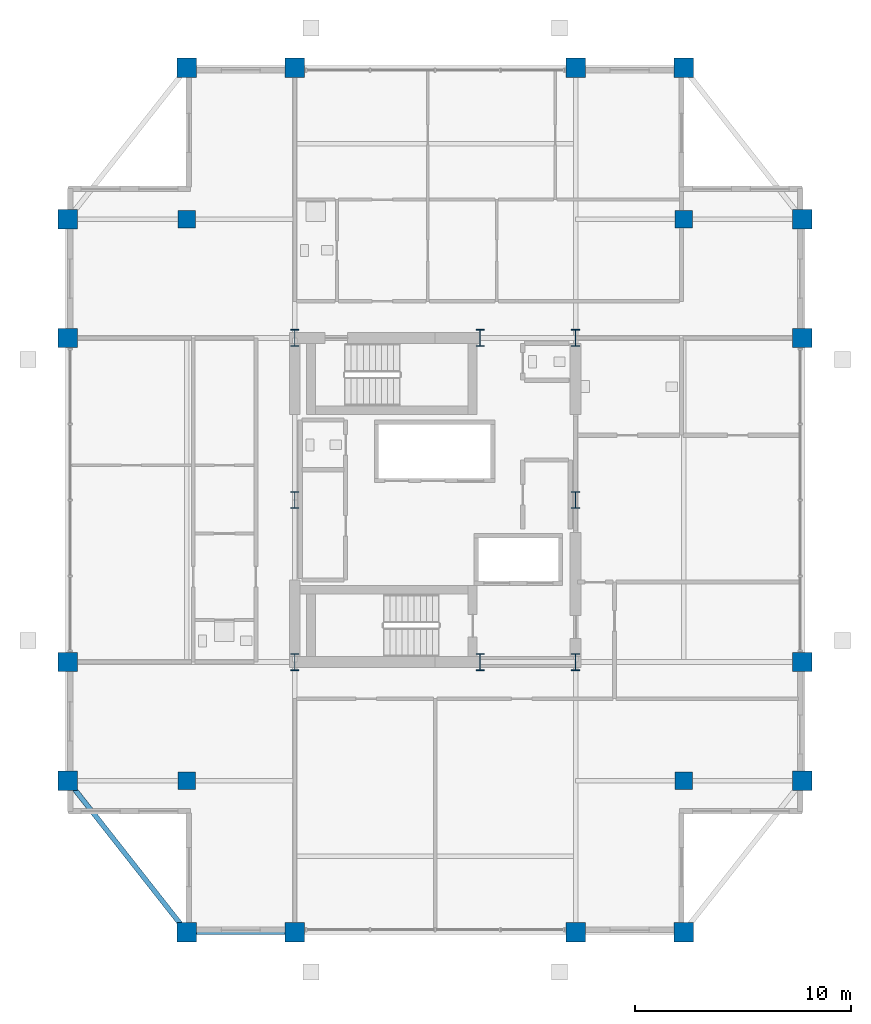
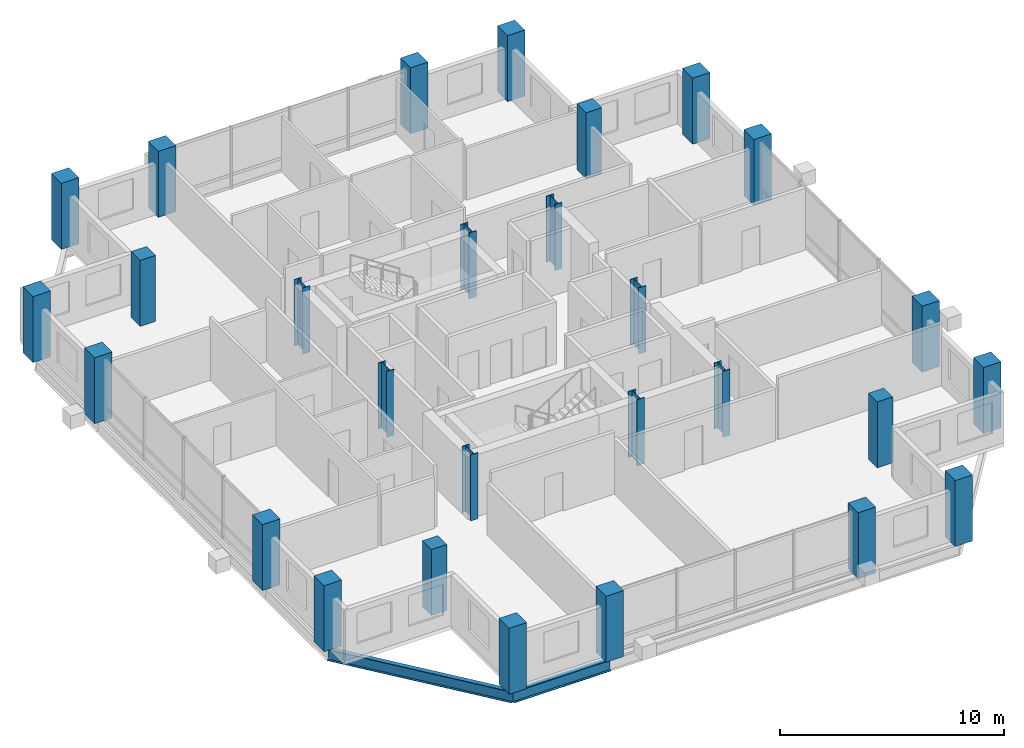
# One storey, part 1 of 21: 28 columns, 2 beams.
"""IFC4 building model written with IfcOpenShell, lengths in metres."""

from ifc_helpers import new_model, si_unit, direction, frame, origin, origin_2d, place, context, subcontext, project, spatial, rectangle, i_section, extrude, material, material_profile, profile_set, type_object, element, save


model = new_model("IFC4")

# Units and contexts
model_context = context("Model", 3, precision=1e-05, world=origin(), true_north=direction((0.0, 1.0)))
body_context = subcontext(model_context, "Body", "Model", "MODEL_VIEW")
ifc_project = project(units=[si_unit("LENGTHUNIT", "METRE"), si_unit("AREAUNIT", "SQUARE_METRE"), si_unit("VOLUMEUNIT", "CUBIC_METRE"), si_unit("PLANEANGLEUNIT", "RADIAN"), si_unit("MASSUNIT", "GRAM", prefix="KILO")], contexts=[model_context])

# Site, building, storey
site_placement = place(None, origin())
site = spatial("IfcSite", under=ifc_project, at=site_placement, CompositionType="ELEMENT")
building_placement = place(site_placement, origin())
building = spatial("IfcBuilding", under=site, at=building_placement, Name="Barlavira Tower and Art Museum", CompositionType="ELEMENT")
storey_placement = place(building_placement, frame((0.0, 0.0, 222.300048828125)))
storey = spatial("IfcBuildingStorey", under=building, at=storey_placement, Name="L57", CompositionType="ELEMENT", Elevation=222.300048828125)

# Columns
ifc_material_1 = material(Name="Steel S355", Category="steel")
ifc_material_profile_1 = material_profile(ifc_material_1, i_section(OverallWidth=0.382080078125, OverallDepth=0.785888671875, WebThickness=0.02001953125, FlangeThickness=0.032958984375, at=origin_2d()), Name="W760x314.0")
ifc_profile_set_1 = profile_set([ifc_material_profile_1], Name="Steel S355")
column_type_1 = type_object("IfcColumnType", Name="Core Composite Column W760x314 Steel S355", PredefinedType="COLUMN", material=ifc_profile_set_1)
for number, where, z_axis, x_axis, name in (
    (1, (-6.5, -7.5, 0.0), (0.0, 0.0, 1.0), (1.0, 0.0, 0.0), "L57 Column CC-L57-C1"),
    (2, (2.080078125, -7.5, 0.0), (0.0, 0.0, 1.0), (1.0, 0.0, 0.0), "L57 Column CC-L57-C2"),
    (3, (6.5, -7.5, 0.0), (0.0, 0.0, 1.0), (1.0, 0.0, 0.0), "L57 Column CC-L57-C3"),
    (4, (-6.5, 0.0, 0.0), (0.0, 0.0, 1.0), (1.0, 0.0, 0.0), "L57 Column CC-L57-C4"),
    (5, (6.5, 0.0, 0.0), (0.0, 0.0, 1.0), (1.0, 0.0, 0.0), "L57 Column CC-L57-C5"),
    (6, (-6.5, 7.5, 0.0), (0.0, 0.0, 1.0), (1.0, 0.0, 0.0), "L57 Column CC-L57-C6"),
    (7, (2.080078125, 7.5, 0.0), (0.0, 0.0, 1.0), (1.0, 0.0, 0.0), "L57 Column CC-L57-C7"),
    (8, (6.5, 7.5, 0.0), (0.0, 0.0, 1.0), (1.0, 0.0, 0.0), "L57 Column CC-L57-C8"),
):
    element("IfcColumn", number, at=place(storey_placement, frame(where, z_axis=z_axis, x_axis=x_axis)), inside=storey, type_object=column_type_1, Name=name, PredefinedType="COLUMN", context=body_context, shape_type="SweptSolid", body=[
        extrude(i_section(OverallWidth=0.382080078125, OverallDepth=0.785888671875, WebThickness=0.02001953125, FlangeThickness=0.032958984375, at=origin_2d()), origin(), (0.0, 0.0, 1.0), 3.599853515625),
    ])
ifc_material_2 = material(Name="Concrete C50", Category="concrete")
ifc_material_profile_2 = material_profile(ifc_material_2, rectangle(XDim=0.89990234375, YDim=0.89990234375, at=origin_2d()), Name="RC-COL 900x900")
ifc_profile_set_2 = profile_set([ifc_material_profile_2], Name="Concrete C50")
column_type_2 = type_object("IfcColumnType", Name="Perimeter Mega Column 900x900 Concrete C50", PredefinedType="USERDEFINED", material=ifc_profile_set_2)
for number, where, z_axis, x_axis, name in (
    (9, (-11.5, -20.0, 0.0), (0.0, 0.0, 1.0), (1.0, 0.0, 0.0), "L57 Column MC-L57-M01"),
    (10, (-6.5, -20.0, 0.0), (0.0, 0.0, 1.0), (1.0, 0.0, 0.0), "L57 Column MC-L57-M02"),
    (11, (6.5, -20.0, 0.0), (0.0, 0.0, 1.0), (1.0, 0.0, 0.0), "L57 Column MC-L57-M03"),
    (12, (11.5, -20.0, 0.0), (0.0, 0.0, 1.0), (1.0, 0.0, 0.0), "L57 Column MC-L57-M04"),
    (13, (17.0, -13.0, 0.0), (0.0, 0.0, 1.0), (1.0, 0.0, 0.0), "L57 Column MC-L57-M05"),
    (14, (17.0, -7.5, 0.0), (0.0, 0.0, 1.0), (1.0, 0.0, 0.0), "L57 Column MC-L57-M06"),
    (15, (17.0, 7.5, 0.0), (0.0, 0.0, 1.0), (1.0, 0.0, 0.0), "L57 Column MC-L57-M07"),
    (16, (17.0, 13.0, 0.0), (0.0, 0.0, 1.0), (1.0, 0.0, 0.0), "L57 Column MC-L57-M08"),
    (17, (11.5, 20.0, 0.0), (0.0, 0.0, 1.0), (1.0, 0.0, 0.0), "L57 Column MC-L57-M09"),
    (18, (6.5, 20.0, 0.0), (0.0, 0.0, 1.0), (1.0, 0.0, 0.0), "L57 Column MC-L57-M10"),
    (19, (-6.5, 20.0, 0.0), (0.0, 0.0, 1.0), (1.0, 0.0, 0.0), "L57 Column MC-L57-M11"),
    (20, (-11.5, 20.0, 0.0), (0.0, 0.0, 1.0), (1.0, 0.0, 0.0), "L57 Column MC-L57-M12"),
    (21, (-17.0, 13.0, 0.0), (0.0, 0.0, 1.0), (1.0, 0.0, 0.0), "L57 Column MC-L57-M13"),
    (22, (-17.0, 7.5, 0.0), (0.0, 0.0, 1.0), (1.0, 0.0, 0.0), "L57 Column MC-L57-M14"),
    (23, (-17.0, -7.5, 0.0), (0.0, 0.0, 1.0), (1.0, 0.0, 0.0), "L57 Column MC-L57-M15"),
    (24, (-17.0, -13.0, 0.0), (0.0, 0.0, 1.0), (1.0, 0.0, 0.0), "L57 Column MC-L57-M16"),
):
    element("IfcColumn", number, at=place(storey_placement, frame(where, z_axis=z_axis, x_axis=x_axis)), inside=storey, type_object=column_type_2, Name=name, ObjectType="MEGA COLUMN", PredefinedType="USERDEFINED", context=body_context, shape_type="SweptSolid", body=[
        extrude(rectangle(XDim=0.89990234375, YDim=0.89990234375, at=origin_2d()), origin(), (0.0, 0.0, 1.0), 3.599853515625),
    ])
ifc_material_profile_3 = material_profile(ifc_material_2, rectangle(XDim=0.800048828125, YDim=0.800048828125, at=origin_2d()), Name="RC-COL 800x800")
ifc_profile_set_3 = profile_set([ifc_material_profile_3], Name="Concrete C50")
column_type_3 = type_object("IfcColumnType", Name="Podium Frame Column 800x800 Concrete C50", PredefinedType="COLUMN", material=ifc_profile_set_3)
for number, where, z_axis, x_axis, name in (
    (25, (-11.5, -13.0, 0.0), (0.0, 0.0, 1.0), (1.0, 0.0, 0.0), "L57 Column CI-L57-I1"),
    (26, (11.5, -13.0, 0.0), (0.0, 0.0, 1.0), (1.0, 0.0, 0.0), "L57 Column CI-L57-I2"),
    (27, (-11.5, 13.0, 0.0), (0.0, 0.0, 1.0), (1.0, 0.0, 0.0), "L57 Column CI-L57-I3"),
    (28, (11.5, 13.0, 0.0), (0.0, 0.0, 1.0), (1.0, 0.0, 0.0), "L57 Column CI-L57-I4"),
):
    element("IfcColumn", number, at=place(storey_placement, frame(where, z_axis=z_axis, x_axis=x_axis)), inside=storey, type_object=column_type_3, Name=name, PredefinedType="COLUMN", context=body_context, shape_type="SweptSolid", body=[
        extrude(rectangle(XDim=0.800048828125, YDim=0.800048828125, at=origin_2d()), origin(), (0.0, 0.0, 1.0), 3.599853515625),
    ])

# Beams
ifc_material_profile_4 = material_profile(ifc_material_1, i_section(OverallWidth=0.22998046875, OverallDepth=0.616943359375, WebThickness=0.01318359375, FlangeThickness=0.022216796875, at=origin_2d()), Name="W610x140.0")
ifc_profile_set_4 = profile_set([ifc_material_profile_4], Name="Steel S355")
beam_type = type_object("IfcBeamType", Name="Upper Shaft Spandrel Edge Beam W610x140 Steel S355", PredefinedType="SPANDREL", material=ifc_profile_set_4)
beam_1_placement = place(storey_placement, frame((-11.5, -20.0, -0.528564453125), z_axis=(1.0, 0.0, 0.0), x_axis=(0.0, 1.0, 0.0)))
element("IfcBeam", 29, at=beam_1_placement, inside=storey, type_object=beam_type, Name="L57 Spandrel 1", PredefinedType="SPANDREL", context=body_context, shape_type="SweptSolid", body=[
    extrude(i_section(OverallWidth=0.22998046875, OverallDepth=0.616943359375, WebThickness=0.01318359375, FlangeThickness=0.022216796875, at=origin_2d()), origin(), (0.0, 0.0, 1.0), 5.0),
])
beam_2_placement = place(storey_placement, frame((-17.0, -13.0, -0.528564453125), z_axis=(0.617821551932, -0.786318338822, 0.0), x_axis=(0.786318338822, 0.617821551932, 0.0)))
element("IfcBeam", 30, at=beam_2_placement, inside=storey, type_object=beam_type, Name="L57 Spandrel 16", PredefinedType="SPANDREL", context=body_context, shape_type="SweptSolid", body=[
    extrude(i_section(OverallWidth=0.22998046875, OverallDepth=0.616943359375, WebThickness=0.01318359375, FlangeThickness=0.022216796875, at=origin_2d()), origin(), (0.0, 0.0, 1.0), 8.90234375),
])

save(model, "model.ifc")
